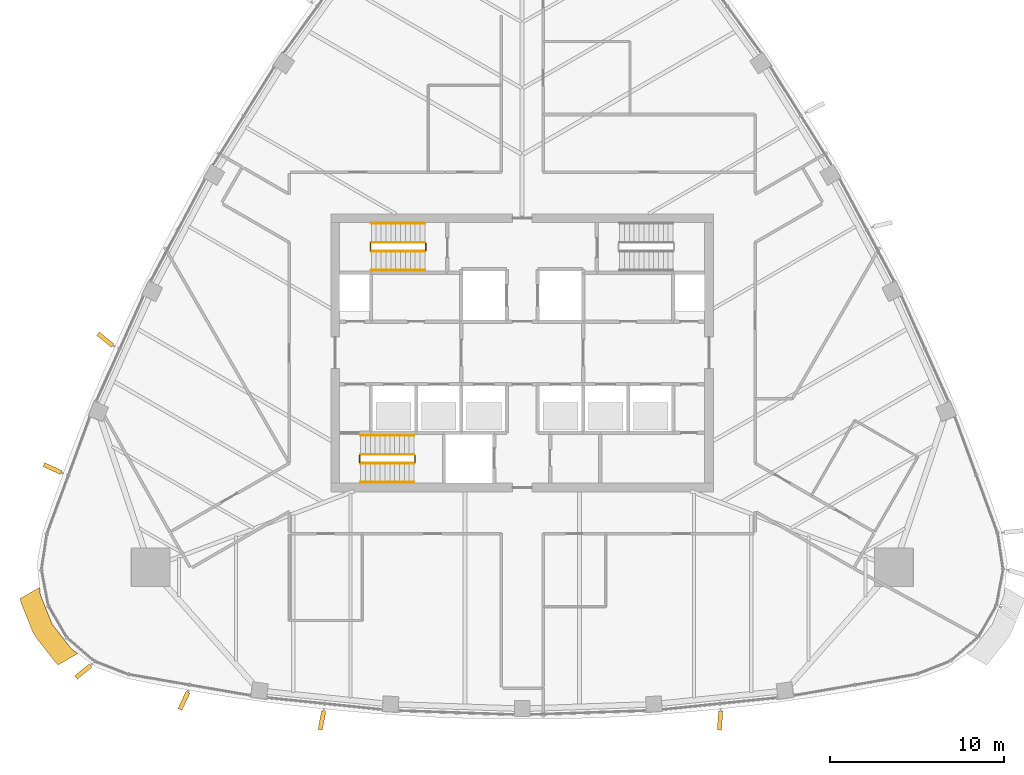
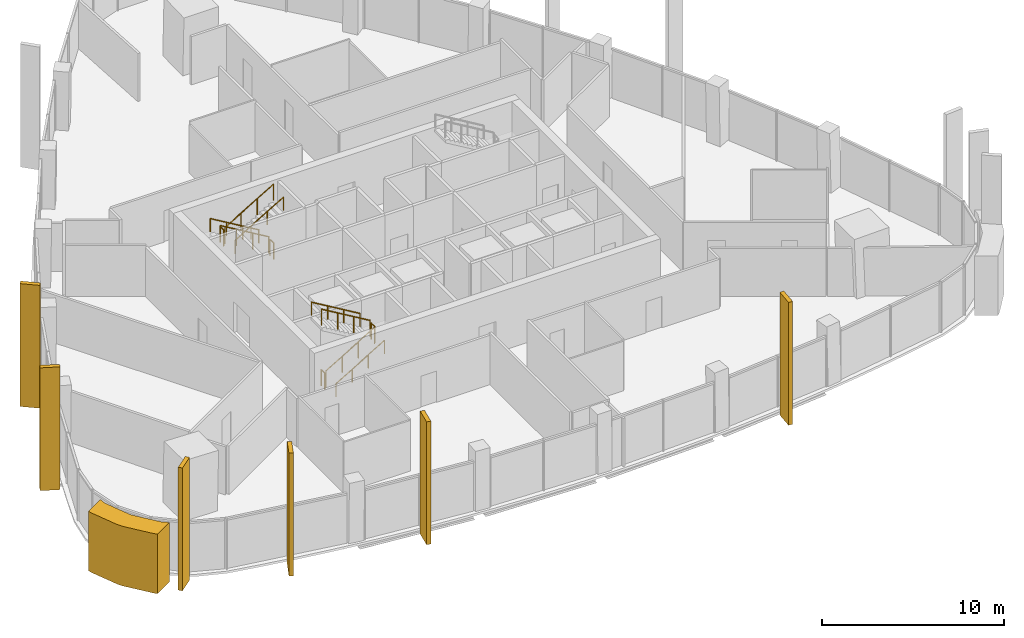
# One storey, part 15 of 18: 12 railings, 7 coverings.
"""IFC4 building model written with IfcOpenShell, lengths in metres."""

from ifc_helpers import new_model, si_unit, direction, frame, origin, origin_2d, place, context, subcontext, project, spatial, polyline, rectangle, circle, outline, extrude, material, layer, layer_set, material_profile, profile_set, type_object, element, save


model = new_model("IFC4")

# Units and contexts
model_context = context("Model", 3, precision=1e-05, world=origin(), true_north=direction((0.0, 1.0)))
body_context = subcontext(model_context, "Body", "Model", "MODEL_VIEW")
ifc_project = project(units=[si_unit("LENGTHUNIT", "METRE"), si_unit("AREAUNIT", "SQUARE_METRE"), si_unit("VOLUMEUNIT", "CUBIC_METRE"), si_unit("PLANEANGLEUNIT", "RADIAN"), si_unit("MASSUNIT", "GRAM", prefix="KILO")], contexts=[model_context])

# Site, building, storey
site_placement = place(None, origin())
site = spatial("IfcSite", under=ifc_project, at=site_placement, CompositionType="ELEMENT")
building_placement = place(site_placement, origin())
building = spatial("IfcBuilding", under=site, at=building_placement, Name="Sierra Prisma Convention Tower", CompositionType="ELEMENT")
storey_placement = place(building_placement, frame((0.0, 0.0, 263.0)))
storey = spatial("IfcBuildingStorey", under=building, at=storey_placement, Name="L59", CompositionType="ELEMENT", Elevation=263.0)

# Coverings
ifc_material_1 = material(Name="Aluminium composite bronze anodised", Category="aluminium")
ifc_layer = layer(ifc_material_1, 1.199951171875)
ifc_layer_set = layer_set([ifc_layer], Name="Bronze corner pier")
covering_type_1 = type_object("IfcCoveringType", Name="Bronze corner pier", PredefinedType="CLADDING", material=ifc_layer_set)
covering_placement = place(storey_placement, frame((0.0, 0.0, -0.60009765625)))
element("IfcCovering", 1, at=covering_placement, inside=storey, type_object=covering_type_1, Name="Corner pier SW L59.1", PredefinedType="CLADDING", context=body_context, shape_type="SweptSolid", body=[
    extrude(outline(polyline([(-28.893310546875, -14.141357421875), (-27.767822265625, -13.491455078125), (-27.723388671875, -13.92333984375), (-27.0419921875, -15.61279296875), (-25.919677734375, -17.04736328125), (-25.56787109375, -17.302001953125), (-26.693359375, -17.951904296875), (-26.86474609375, -17.786865234375), (-27.987060546875, -16.35205078125), (-28.15478515625, -16.0615234375), (-28.836181640625, -14.3720703125), (-28.893310546875, -14.141357421875)])), origin(), (0.0, 0.0, 1.0), 4.0),
])
ifc_material_2 = material(Name="Aluminium 6063-T6 bronze anodised", Category="aluminium")
ifc_material_profile = material_profile(ifc_material_2, rectangle(XDim=1.10009765625, YDim=0.25, at=origin_2d()), Name="ALU FIN 1100x250")
ifc_profile_set = profile_set([ifc_material_profile], Name="Aluminium 6063-T6 bronze anodised")
covering_type_2 = type_object("IfcCoveringType", Name="Bronze facade fin", PredefinedType="CLADDING", material=ifc_profile_set)
for number, where, z_axis, x_axis, name in (
    (2, (-19.4619140625, -20.021240234375, -0.300048828125), (0.0, 0.0, 1.0), (-0.426432101228, -0.90451957582, 0.0), "Fin L59.2"),
    (3, (-11.523681640625, -21.147216796875, -0.300048828125), (0.0, 0.0, 1.0), (-0.193289302101, -0.981141807128, 0.0), "Fin L59.5"),
    (4, (11.38037109375, -21.156494140625, -0.300048828125), (0.0, 0.0, 1.0), (-0.067235056786, -0.997737163355, 0.0), "Fin L59.14"),
    (5, (-23.98388671875, 0.76123046875, -0.300048828125), (0.0, 0.0, 1.0), (-0.778733992756, 0.627354260786, 0.0), "Fin L59.58"),
    (6, (-27.021240234375, -6.659423828125, -0.300048828125), (0.0, 0.0, 1.0), (-0.90807991757, 0.418796923708, 0.0), "Fin L59.61"),
    (7, (-25.252197265625, -18.334228515625, -0.300048828125), (0.0, 0.0, 1.0), (-0.775922813193, -0.630827859219, 0.0), "Fin L59.66"),
):
    element("IfcCovering", number, at=place(storey_placement, frame(where, z_axis=z_axis, x_axis=x_axis)), inside=storey, type_object=covering_type_2, Name=name, ObjectType="FIN", PredefinedType="CLADDING", context=body_context, shape_type="SweptSolid", body=[
        extrude(rectangle(XDim=1.10009765625, YDim=0.25, at=origin_2d()), origin(), (0.0, 0.0, 1.0), 8.25),
    ])

# Railings
ifc_material_3 = material(Name="Stainless steel", Category="steel")
railing_type_1 = type_object("IfcRailingType", Name="Exit stair handrail", PredefinedType="HANDRAIL", material=ifc_material_3)
railing_1_placement = place(storey_placement, frame((-9.300048828125, -7.449951171875, 0.166748046875)))
element("IfcRailing", 8, at=railing_1_placement, inside=storey, type_object=railing_type_1, Name="L59 S1 stair handrail 1", PredefinedType="HANDRAIL", context=body_context, shape_type="SweptSolid", body=[
    extrude(circle(Radius=0.02392578125, at=origin_2d()), frame((0.0, 0.0, 0.8759765625), z_axis=(0.859308565015, 0.0, 0.511457515432), x_axis=(0.0, 1.0, 0.0)), (0.0, 0.0, 1.0), 3.58447265625),
    extrude(circle(Radius=0.02099609375, at=origin_2d()), origin(), (0.0, 0.0, 1.0), 0.851806640625),
    extrude(circle(Radius=0.02099609375, at=origin_2d()), frame((1.026611328125, 0.0, 0.611083984375)), (0.0, 0.0, 1.0), 0.851806640625),
    extrude(circle(Radius=0.02099609375, at=origin_2d()), frame((2.053466796875, 0.0, 1.22216796875)), (0.0, 0.0, 1.0), 0.851806640625),
    extrude(circle(Radius=0.02099609375, at=origin_2d()), frame((3.080078125, 0.0, 1.833251953125)), (0.0, 0.0, 1.0), 0.851806640625),
])
railing_2_placement = place(storey_placement, frame((-6.219970703125, -4.75, 2.166748046875)))
element("IfcRailing", 9, at=railing_2_placement, inside=storey, type_object=railing_type_1, Name="L59 S1 stair handrail 2", PredefinedType="HANDRAIL", context=body_context, shape_type="SweptSolid", body=[
    extrude(circle(Radius=0.02392578125, at=origin_2d()), frame((0.0, 0.0, 0.8759765625), z_axis=(-0.859308565015, 0.0, 0.511457515432), x_axis=(0.0, -1.0, 0.0)), (0.0, 0.0, 1.0), 3.58447265625),
    extrude(circle(Radius=0.02099609375, at=origin_2d()), origin(), (0.0, 0.0, 1.0), 0.851806640625),
    extrude(circle(Radius=0.02099609375, at=origin_2d()), frame((-1.026611328125, 0.0, 0.611083984375)), (0.0, 0.0, 1.0), 0.851806640625),
    extrude(circle(Radius=0.02099609375, at=origin_2d()), frame((-2.053466796875, 0.0, 1.22216796875)), (0.0, 0.0, 1.0), 0.851806640625),
    extrude(circle(Radius=0.02099609375, at=origin_2d()), frame((-3.080078125, 0.0, 1.833251953125)), (0.0, 0.0, 1.0), 0.851806640625),
])
railing_3_placement = place(storey_placement, frame((-5.60009765625, 7.449951171875, 0.166748046875)))
element("IfcRailing", 10, at=railing_3_placement, inside=storey, type_object=railing_type_1, Name="L59 S3 stair handrail 1", PredefinedType="HANDRAIL", context=body_context, shape_type="SweptSolid", body=[
    extrude(circle(Radius=0.02392578125, at=origin_2d()), frame((0.0, 0.0, 0.8759765625), z_axis=(-0.859290745958, 0.0, 0.51148745235), x_axis=(0.0, -1.0, 0.0)), (0.0, 0.0, 1.0), 3.584228515625),
    extrude(circle(Radius=0.02099609375, at=origin_2d()), origin(), (0.0, 0.0, 1.0), 0.851806640625),
    extrude(circle(Radius=0.02099609375, at=origin_2d()), frame((-1.026611328125, 0.0, 0.611083984375)), (0.0, 0.0, 1.0), 0.851806640625),
    extrude(circle(Radius=0.02099609375, at=origin_2d()), frame((-2.05322265625, 0.0, 1.22216796875)), (0.0, 0.0, 1.0), 0.851806640625),
    extrude(circle(Radius=0.02099609375, at=origin_2d()), frame((-3.079833984375, 0.0, 1.833251953125)), (0.0, 0.0, 1.0), 0.851806640625),
])
railing_4_placement = place(storey_placement, frame((-8.679931640625, 4.75, 2.166748046875)))
element("IfcRailing", 11, at=railing_4_placement, inside=storey, type_object=railing_type_1, Name="L59 S3 stair handrail 2", PredefinedType="HANDRAIL", context=body_context, shape_type="SweptSolid", body=[
    extrude(circle(Radius=0.02392578125, at=origin_2d()), frame((0.0, 0.0, 0.8759765625), z_axis=(0.859290745958, 0.0, 0.51148745235), x_axis=(0.0, 1.0, 0.0)), (0.0, 0.0, 1.0), 3.584228515625),
    extrude(circle(Radius=0.02099609375, at=origin_2d()), origin(), (0.0, 0.0, 1.0), 0.851806640625),
    extrude(circle(Radius=0.02099609375, at=origin_2d()), frame((1.026611328125, 0.0, 0.611083984375)), (0.0, 0.0, 1.0), 0.851806640625),
    extrude(circle(Radius=0.02099609375, at=origin_2d()), frame((2.05322265625, 0.0, 1.22216796875)), (0.0, 0.0, 1.0), 0.851806640625),
    extrude(circle(Radius=0.02099609375, at=origin_2d()), frame((3.079833984375, 0.0, 1.833251953125)), (0.0, 0.0, 1.0), 0.851806640625),
])
ifc_material_4 = material(Name="Stainless steel", Category="steel")
railing_type_2 = type_object("IfcRailingType", Name="Stair guard 1100", PredefinedType="GUARDRAIL", material=ifc_material_4)
railing_5_placement = place(storey_placement, frame((-9.300048828125, -6.35009765625, 0.166748046875)))
element("IfcRailing", 12, at=railing_5_placement, inside=storey, type_object=railing_type_2, Name="L59 S1 stair guard 1", PredefinedType="GUARDRAIL", context=body_context, shape_type="SweptSolid", body=[
    extrude(circle(Radius=0.02392578125, at=origin_2d()), frame((0.0, 0.0, 1.076171875), z_axis=(0.859308565015, 0.0, 0.511457515432), x_axis=(0.0, 1.0, 0.0)), (0.0, 0.0, 1.0), 3.58447265625),
    extrude(circle(Radius=0.02099609375, at=origin_2d()), origin(), (0.0, 0.0, 1.0), 1.052001953125),
    extrude(circle(Radius=0.02099609375, at=origin_2d()), frame((1.026611328125, 0.0, 0.611083984375)), (0.0, 0.0, 1.0), 1.052001953125),
    extrude(circle(Radius=0.02099609375, at=origin_2d()), frame((2.053466796875, 0.0, 1.22216796875)), (0.0, 0.0, 1.0), 1.052001953125),
    extrude(circle(Radius=0.02099609375, at=origin_2d()), frame((3.080078125, 0.0, 1.833251953125)), (0.0, 0.0, 1.0), 1.052001953125),
])
railing_6_placement = place(storey_placement, frame((-6.169921875, -6.300048828125, 2.0)))
element("IfcRailing", 13, at=railing_6_placement, inside=storey, type_object=railing_type_2, Name="L59 S1 stair guard 2", PredefinedType="GUARDRAIL", context=body_context, shape_type="SweptSolid", body=[
    extrude(circle(Radius=0.02392578125, at=origin_2d()), frame((0.0, 0.0, 1.076171875), z_axis=(0.0, 1.0, 0.0), x_axis=(-1.0, 0.0, 0.0)), (0.0, 0.0, 1.0), 0.400146484375),
    extrude(circle(Radius=0.02099609375, at=origin_2d()), origin(), (0.0, 0.0, 1.0), 1.052001953125),
    extrude(circle(Radius=0.02099609375, at=origin_2d()), frame((0.0, 0.400146484375, 0.0)), (0.0, 0.0, 1.0), 1.052001953125),
])
railing_7_placement = place(storey_placement, frame((-6.219970703125, -5.85009765625, 2.166748046875)))
element("IfcRailing", 14, at=railing_7_placement, inside=storey, type_object=railing_type_2, Name="L59 S1 stair guard 3", PredefinedType="GUARDRAIL", context=body_context, shape_type="SweptSolid", body=[
    extrude(circle(Radius=0.02392578125, at=origin_2d()), frame((0.0, 0.0, 1.076171875), z_axis=(-0.859308565015, 0.0, 0.511457515432), x_axis=(0.0, -1.0, 0.0)), (0.0, 0.0, 1.0), 3.58447265625),
    extrude(circle(Radius=0.02099609375, at=origin_2d()), origin(), (0.0, 0.0, 1.0), 1.052001953125),
    extrude(circle(Radius=0.02099609375, at=origin_2d()), frame((-1.026611328125, 0.0, 0.611083984375)), (0.0, 0.0, 1.0), 1.052001953125),
    extrude(circle(Radius=0.02099609375, at=origin_2d()), frame((-2.053466796875, 0.0, 1.22216796875)), (0.0, 0.0, 1.0), 1.052001953125),
    extrude(circle(Radius=0.02099609375, at=origin_2d()), frame((-3.080078125, 0.0, 1.833251953125)), (0.0, 0.0, 1.0), 1.052001953125),
])
railing_8_placement = place(storey_placement, frame((-9.35009765625, -6.300048828125, 0.0)))
element("IfcRailing", 15, at=railing_8_placement, inside=storey, type_object=railing_type_2, Name="L59 S1 stair guard 4", PredefinedType="GUARDRAIL", context=body_context, shape_type="SweptSolid", body=[
    extrude(circle(Radius=0.02392578125, at=origin_2d()), frame((0.0, 0.0, 1.076171875), z_axis=(0.0, 1.0, 0.0), x_axis=(-1.0, 0.0, 0.0)), (0.0, 0.0, 1.0), 0.400146484375),
    extrude(circle(Radius=0.02099609375, at=origin_2d()), origin(), (0.0, 0.0, 1.0), 1.052001953125),
    extrude(circle(Radius=0.02099609375, at=origin_2d()), frame((0.0, 0.400146484375, 0.0)), (0.0, 0.0, 1.0), 1.052001953125),
])
railing_9_placement = place(storey_placement, frame((-5.60009765625, 6.35009765625, 0.166748046875)))
element("IfcRailing", 16, at=railing_9_placement, inside=storey, type_object=railing_type_2, Name="L59 S3 stair guard 1", PredefinedType="GUARDRAIL", context=body_context, shape_type="SweptSolid", body=[
    extrude(circle(Radius=0.02392578125, at=origin_2d()), frame((0.0, 0.0, 1.076171875), z_axis=(-0.859290745958, 0.0, 0.51148745235), x_axis=(0.0, -1.0, 0.0)), (0.0, 0.0, 1.0), 3.584228515625),
    extrude(circle(Radius=0.02099609375, at=origin_2d()), origin(), (0.0, 0.0, 1.0), 1.052001953125),
    extrude(circle(Radius=0.02099609375, at=origin_2d()), frame((-1.026611328125, 0.0, 0.611083984375)), (0.0, 0.0, 1.0), 1.052001953125),
    extrude(circle(Radius=0.02099609375, at=origin_2d()), frame((-2.05322265625, 0.0, 1.22216796875)), (0.0, 0.0, 1.0), 1.052001953125),
    extrude(circle(Radius=0.02099609375, at=origin_2d()), frame((-3.079833984375, 0.0, 1.833251953125)), (0.0, 0.0, 1.0), 1.052001953125),
])
railing_10_placement = place(storey_placement, frame((-8.72998046875, 6.300048828125, 2.0)))
element("IfcRailing", 17, at=railing_10_placement, inside=storey, type_object=railing_type_2, Name="L59 S3 stair guard 2", PredefinedType="GUARDRAIL", context=body_context, shape_type="SweptSolid", body=[
    extrude(circle(Radius=0.02392578125, at=origin_2d()), frame((0.0, 0.0, 1.076171875), z_axis=(0.0, -1.0, 0.0), x_axis=(1.0, 0.0, 0.0)), (0.0, 0.0, 1.0), 0.400146484375),
    extrude(circle(Radius=0.02099609375, at=origin_2d()), origin(), (0.0, 0.0, 1.0), 1.052001953125),
    extrude(circle(Radius=0.02099609375, at=origin_2d()), frame((0.0, -0.400146484375, 0.0)), (0.0, 0.0, 1.0), 1.052001953125),
])
railing_11_placement = place(storey_placement, frame((-8.679931640625, 5.85009765625, 2.166748046875)))
element("IfcRailing", 18, at=railing_11_placement, inside=storey, type_object=railing_type_2, Name="L59 S3 stair guard 3", PredefinedType="GUARDRAIL", context=body_context, shape_type="SweptSolid", body=[
    extrude(circle(Radius=0.02392578125, at=origin_2d()), frame((0.0, 0.0, 1.076171875), z_axis=(0.859290745958, 0.0, 0.51148745235), x_axis=(0.0, 1.0, 0.0)), (0.0, 0.0, 1.0), 3.584228515625),
    extrude(circle(Radius=0.02099609375, at=origin_2d()), origin(), (0.0, 0.0, 1.0), 1.052001953125),
    extrude(circle(Radius=0.02099609375, at=origin_2d()), frame((1.026611328125, 0.0, 0.611083984375)), (0.0, 0.0, 1.0), 1.052001953125),
    extrude(circle(Radius=0.02099609375, at=origin_2d()), frame((2.05322265625, 0.0, 1.22216796875)), (0.0, 0.0, 1.0), 1.052001953125),
    extrude(circle(Radius=0.02099609375, at=origin_2d()), frame((3.079833984375, 0.0, 1.833251953125)), (0.0, 0.0, 1.0), 1.052001953125),
])
railing_12_placement = place(storey_placement, frame((-5.550048828125, 6.300048828125, 0.0)))
element("IfcRailing", 19, at=railing_12_placement, inside=storey, type_object=railing_type_2, Name="L59 S3 stair guard 4", PredefinedType="GUARDRAIL", context=body_context, shape_type="SweptSolid", body=[
    extrude(circle(Radius=0.02392578125, at=origin_2d()), frame((0.0, 0.0, 1.076171875), z_axis=(0.0, -1.0, 0.0), x_axis=(1.0, 0.0, 0.0)), (0.0, 0.0, 1.0), 0.400146484375),
    extrude(circle(Radius=0.02099609375, at=origin_2d()), origin(), (0.0, 0.0, 1.0), 1.052001953125),
    extrude(circle(Radius=0.02099609375, at=origin_2d()), frame((0.0, -0.400146484375, 0.0)), (0.0, 0.0, 1.0), 1.052001953125),
])

save(model, "model.ifc")
